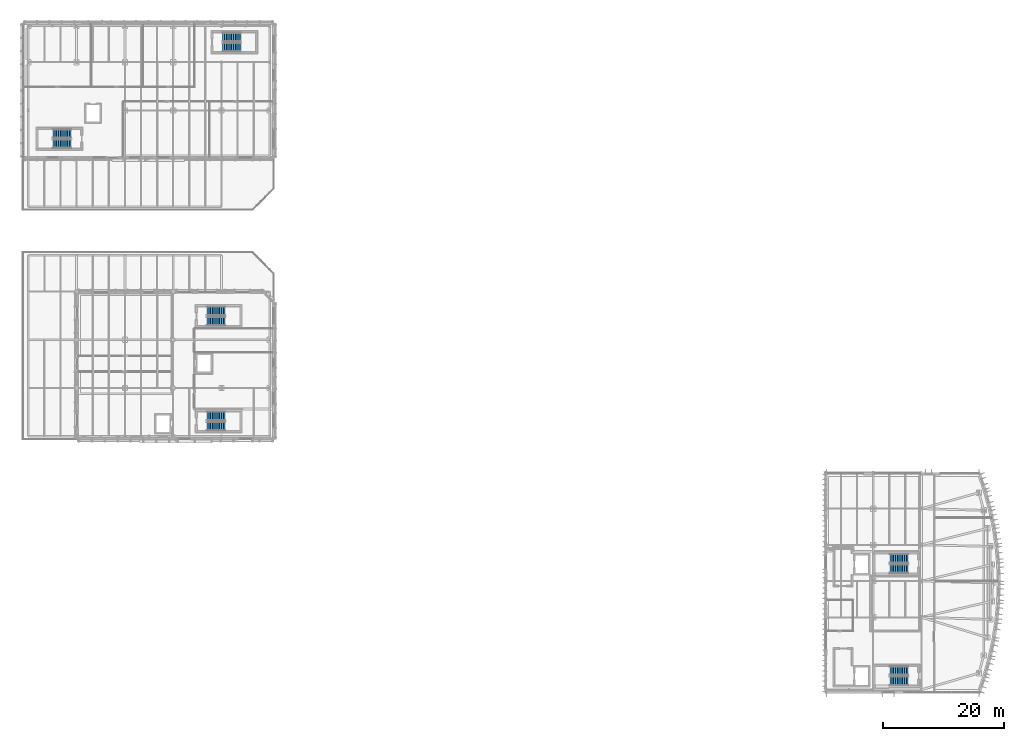
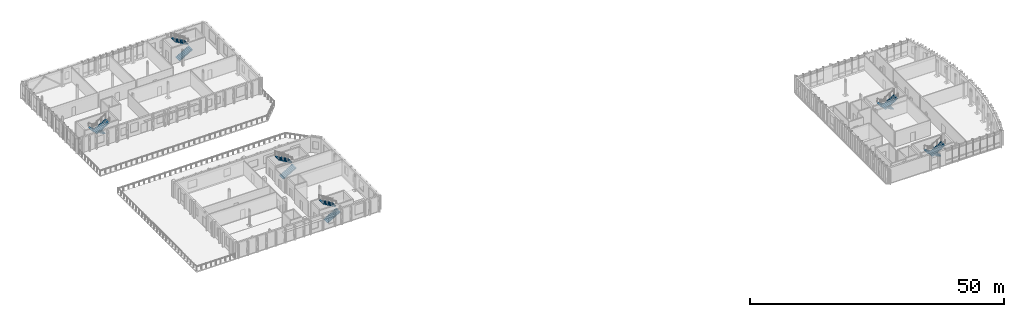
# One storey, part 30 of 43: 12 stair flights, 6 elements without a shape of their own.
"""IFC4 building model written with IfcOpenShell, lengths in metres."""

from ifc_helpers import new_model, si_unit, direction, frame, origin, place, context, subcontext, project, spatial, polyline, outline, extrude, material, type_object, element, aggregate, save


model = new_model("IFC4")

# Units and contexts
model_context = context("Model", 3, precision=1e-05, world=origin(), true_north=direction((0.0, 1.0)))
body_context = subcontext(model_context, "Body", "Model", "MODEL_VIEW")
ifc_project = project(units=[si_unit("LENGTHUNIT", "METRE"), si_unit("AREAUNIT", "SQUARE_METRE"), si_unit("VOLUMEUNIT", "CUBIC_METRE"), si_unit("PLANEANGLEUNIT", "RADIAN"), si_unit("MASSUNIT", "GRAM", prefix="KILO")], contexts=[model_context])

# Site, building, storey
site_placement = place(None, origin())
site = spatial("IfcSite", under=ifc_project, at=site_placement, CompositionType="ELEMENT")
building_placement = place(site_placement, origin())
building = spatial("IfcBuilding", under=site, at=building_placement, Name="Cymarion Research Institute", CompositionType="ELEMENT")
storey_placement = place(building_placement, frame((0.0, 0.0, 22.800048828125)))
storey = spatial("IfcBuildingStorey", under=building, at=storey_placement, Name="L05", CompositionType="ELEMENT", Elevation=22.800048828125)

# Stair, stair flights
ifc_material = material(Name="Concrete C35/45", Category="concrete")
stair_type = type_object("IfcStairType", Name="REINFORCED CONCRETE DOGLEG STAIR STR-3900", PredefinedType="HALF_TURN_STAIR", material=ifc_material)
stair_1_placement = place(storey_placement, origin())
stair_1 = element("IfcStair", 1, at=stair_1_placement, inside=storey, type_object=stair_type, Name="L05 Core C1 Smoke-Proof Exit Stair ST1", PredefinedType="HALF_TURN_STAIR")
stair_flight_type = type_object("IfcStairFlightType", Name="REINFORCED CONCRETE STAIR FLIGHT SFL-3900", PredefinedType="STRAIGHT", material=ifc_material)
stair_flight_1_placement = place(storey_placement, frame((152.39990234375, 8.639892578125, 0.0), z_axis=(0.0, 0.0, 1.0), x_axis=(-1.0, 0.0, 0.0)))
stair_flight_1 = element("IfcStairFlight", 2, at=stair_flight_1_placement, type_object=stair_flight_type, Name="ST1 flight 1", NumberOfRisers=11, NumberOfTreads=10, PredefinedType="STRAIGHT", RiserHeight=0.177272727, TreadLength=0.3, context=body_context, shape_type="SweptSolid", body=[
    extrude(outline(polyline([(0.0, 0.0), (0.0, 0.17724609375), (0.300048828125, 0.17724609375), (0.300048828125, 0.3544921875), (0.60009765625, 0.3544921875), (0.60009765625, 0.53173828125), (0.89990234375, 0.53173828125), (0.89990234375, 0.708984375), (1.199951171875, 0.708984375), (1.199951171875, 0.886474609375), (1.5, 0.886474609375), (1.5, 1.063720703125), (1.800048828125, 1.063720703125), (1.800048828125, 1.240966796875), (2.10009765625, 1.240966796875), (2.10009765625, 1.418212890625), (2.39990234375, 1.418212890625), (2.39990234375, 1.595458984375), (2.699951171875, 1.595458984375), (2.699951171875, 1.772705078125), (3.0, 1.772705078125), (3.0, 1.949951171875), (3.0, 1.5986328125), (0.294677734375, 0.0), (0.0, 0.0)])), frame((0.0, 0.760009765625, 0.0), z_axis=(0.0, -1.0, 0.0), x_axis=(1.0, 0.0, 0.0)), (0.0, 0.0, 1.0), 1.52001953125),
])
stair_flight_2_placement = place(storey_placement, frame((149.39990234375, 6.9599609375, 1.949951171875), z_axis=(0.0, 0.0, 1.0), x_axis=(1.0, 0.0, 0.0)))
stair_flight_2 = element("IfcStairFlight", 3, at=stair_flight_2_placement, type_object=stair_flight_type, Name="ST1 flight 2", NumberOfRisers=11, NumberOfTreads=10, PredefinedType="STRAIGHT", RiserHeight=0.177272727, TreadLength=0.3, context=body_context, shape_type="SweptSolid", body=[
    extrude(outline(polyline([(0.0, 0.0), (0.0, 0.17724609375), (0.300048828125, 0.17724609375), (0.300048828125, 0.3544921875), (0.60009765625, 0.3544921875), (0.60009765625, 0.53173828125), (0.89990234375, 0.53173828125), (0.89990234375, 0.708984375), (1.199951171875, 0.708984375), (1.199951171875, 0.886474609375), (1.5, 0.886474609375), (1.5, 1.063720703125), (1.800048828125, 1.063720703125), (1.800048828125, 1.240966796875), (2.10009765625, 1.240966796875), (2.10009765625, 1.418212890625), (2.39990234375, 1.418212890625), (2.39990234375, 1.595458984375), (2.699951171875, 1.595458984375), (2.699951171875, 1.772705078125), (3.0, 1.772705078125), (3.0, 1.949951171875), (3.0, 1.5986328125), (0.294677734375, 0.0), (0.0, 0.0)])), frame((0.0, 0.760009765625, 0.0), z_axis=(0.0, -1.0, 0.0), x_axis=(1.0, 0.0, 0.0)), (0.0, 0.0, 1.0), 1.52001953125),
])
aggregate(stair_1, [stair_flight_1, stair_flight_2])

stair_2_placement = place(storey_placement, origin())
stair_2 = element("IfcStair", 4, at=stair_2_placement, inside=storey, type_object=stair_type, Name="L05 Core C2 Smoke-Proof Exit Stair ST2", PredefinedType="HALF_TURN_STAIR")
stair_flight_3_placement = place(storey_placement, frame((152.39990234375, 27.239990234375, 0.0), z_axis=(0.0, 0.0, 1.0), x_axis=(-1.0, 0.0, 0.0)))
stair_flight_3 = element("IfcStairFlight", 5, at=stair_flight_3_placement, type_object=stair_flight_type, Name="ST2 flight 1", NumberOfRisers=11, NumberOfTreads=10, PredefinedType="STRAIGHT", RiserHeight=0.177272727, TreadLength=0.3, context=body_context, shape_type="SweptSolid", body=[
    extrude(outline(polyline([(0.0, 0.0), (0.0, 0.17724609375), (0.300048828125, 0.17724609375), (0.300048828125, 0.3544921875), (0.60009765625, 0.3544921875), (0.60009765625, 0.53173828125), (0.89990234375, 0.53173828125), (0.89990234375, 0.708984375), (1.199951171875, 0.708984375), (1.199951171875, 0.886474609375), (1.5, 0.886474609375), (1.5, 1.063720703125), (1.800048828125, 1.063720703125), (1.800048828125, 1.240966796875), (2.10009765625, 1.240966796875), (2.10009765625, 1.418212890625), (2.39990234375, 1.418212890625), (2.39990234375, 1.595458984375), (2.699951171875, 1.595458984375), (2.699951171875, 1.772705078125), (3.0, 1.772705078125), (3.0, 1.949951171875), (3.0, 1.5986328125), (0.294677734375, 0.0), (0.0, 0.0)])), frame((0.0, 0.760009765625, 0.0), z_axis=(0.0, -1.0, 0.0), x_axis=(1.0, 0.0, 0.0)), (0.0, 0.0, 1.0), 1.52001953125),
])
stair_flight_4_placement = place(storey_placement, frame((149.39990234375, 25.56005859375, 1.949951171875), z_axis=(0.0, 0.0, 1.0), x_axis=(1.0, 0.0, 0.0)))
stair_flight_4 = element("IfcStairFlight", 6, at=stair_flight_4_placement, type_object=stair_flight_type, Name="ST2 flight 2", NumberOfRisers=11, NumberOfTreads=10, PredefinedType="STRAIGHT", RiserHeight=0.177272727, TreadLength=0.3, context=body_context, shape_type="SweptSolid", body=[
    extrude(outline(polyline([(0.0, 0.0), (0.0, 0.17724609375), (0.300048828125, 0.17724609375), (0.300048828125, 0.3544921875), (0.60009765625, 0.3544921875), (0.60009765625, 0.53173828125), (0.89990234375, 0.53173828125), (0.89990234375, 0.708984375), (1.199951171875, 0.708984375), (1.199951171875, 0.886474609375), (1.5, 0.886474609375), (1.5, 1.063720703125), (1.800048828125, 1.063720703125), (1.800048828125, 1.240966796875), (2.10009765625, 1.240966796875), (2.10009765625, 1.418212890625), (2.39990234375, 1.418212890625), (2.39990234375, 1.595458984375), (2.699951171875, 1.595458984375), (2.699951171875, 1.772705078125), (3.0, 1.772705078125), (3.0, 1.949951171875), (3.0, 1.5986328125), (0.294677734375, 0.0), (0.0, 0.0)])), frame((0.0, 0.760009765625, 0.0), z_axis=(0.0, -1.0, 0.0), x_axis=(1.0, 0.0, 0.0)), (0.0, 0.0, 1.0), 1.52001953125),
])
aggregate(stair_2, [stair_flight_3, stair_flight_4])

stair_3_placement = place(storey_placement, origin())
stair_3 = element("IfcStair", 7, at=stair_3_placement, inside=storey, type_object=stair_type, Name="L05 Core C7 Smoke-Proof Exit Stair ST7", PredefinedType="HALF_TURN_STAIR")
stair_flight_5_placement = place(storey_placement, frame((36.199951171875, 49.159912109375, 0.0), z_axis=(0.0, 0.0, 1.0), x_axis=(1.0, 0.0, 0.0)))
stair_flight_5 = element("IfcStairFlight", 8, at=stair_flight_5_placement, type_object=stair_flight_type, Name="ST7 flight 1", NumberOfRisers=11, NumberOfTreads=10, PredefinedType="STRAIGHT", RiserHeight=0.177272727, TreadLength=0.3, context=body_context, shape_type="SweptSolid", body=[
    extrude(outline(polyline([(0.0, 0.0), (0.0, 0.17724609375), (0.300048828125, 0.17724609375), (0.300048828125, 0.3544921875), (0.60009765625, 0.3544921875), (0.60009765625, 0.53173828125), (0.89990234375, 0.53173828125), (0.89990234375, 0.708984375), (1.199951171875, 0.708984375), (1.199951171875, 0.886474609375), (1.5, 0.886474609375), (1.5, 1.063720703125), (1.800048828125, 1.063720703125), (1.800048828125, 1.240966796875), (2.10009765625, 1.240966796875), (2.10009765625, 1.418212890625), (2.39990234375, 1.418212890625), (2.39990234375, 1.595458984375), (2.699951171875, 1.595458984375), (2.699951171875, 1.772705078125), (3.0, 1.772705078125), (3.0, 1.949951171875), (3.0, 1.5986328125), (0.294677734375, 0.0), (0.0, 0.0)])), frame((0.0, 0.760009765625, 0.0), z_axis=(0.0, -1.0, 0.0), x_axis=(1.0, 0.0, 0.0)), (0.0, 0.0, 1.0), 1.52001953125),
])
stair_flight_6_placement = place(storey_placement, frame((39.199951171875, 50.840087890625, 1.949951171875), z_axis=(0.0, 0.0, 1.0), x_axis=(-1.0, 0.0, 0.0)))
stair_flight_6 = element("IfcStairFlight", 9, at=stair_flight_6_placement, type_object=stair_flight_type, Name="ST7 flight 2", NumberOfRisers=11, NumberOfTreads=10, PredefinedType="STRAIGHT", RiserHeight=0.177272727, TreadLength=0.3, context=body_context, shape_type="SweptSolid", body=[
    extrude(outline(polyline([(0.0, 0.0), (0.0, 0.17724609375), (0.300048828125, 0.17724609375), (0.300048828125, 0.3544921875), (0.60009765625, 0.3544921875), (0.60009765625, 0.53173828125), (0.89990234375, 0.53173828125), (0.89990234375, 0.708984375), (1.199951171875, 0.708984375), (1.199951171875, 0.886474609375), (1.5, 0.886474609375), (1.5, 1.063720703125), (1.800048828125, 1.063720703125), (1.800048828125, 1.240966796875), (2.10009765625, 1.240966796875), (2.10009765625, 1.418212890625), (2.39990234375, 1.418212890625), (2.39990234375, 1.595458984375), (2.699951171875, 1.595458984375), (2.699951171875, 1.772705078125), (3.0, 1.772705078125), (3.0, 1.949951171875), (3.0, 1.5986328125), (0.294677734375, 0.0), (0.0, 0.0)])), frame((0.0, 0.760009765625, 0.0), z_axis=(0.0, -1.0, 0.0), x_axis=(1.0, 0.0, 0.0)), (0.0, 0.0, 1.0), 1.52001953125),
])
aggregate(stair_3, [stair_flight_5, stair_flight_6])

stair_4_placement = place(storey_placement, origin())
stair_4 = element("IfcStair", 10, at=stair_4_placement, inside=storey, type_object=stair_type, Name="L05 Core C8 Smoke-Proof Exit Stair ST8", PredefinedType="HALF_TURN_STAIR")
stair_flight_7_placement = place(storey_placement, frame((36.199951171875, 66.56005859375, 0.0), z_axis=(0.0, 0.0, 1.0), x_axis=(1.0, 0.0, 0.0)))
stair_flight_7 = element("IfcStairFlight", 11, at=stair_flight_7_placement, type_object=stair_flight_type, Name="ST8 flight 1", NumberOfRisers=11, NumberOfTreads=10, PredefinedType="STRAIGHT", RiserHeight=0.177272727, TreadLength=0.3, context=body_context, shape_type="SweptSolid", body=[
    extrude(outline(polyline([(0.0, 0.0), (0.0, 0.17724609375), (0.300048828125, 0.17724609375), (0.300048828125, 0.3544921875), (0.60009765625, 0.3544921875), (0.60009765625, 0.53173828125), (0.89990234375, 0.53173828125), (0.89990234375, 0.708984375), (1.199951171875, 0.708984375), (1.199951171875, 0.886474609375), (1.5, 0.886474609375), (1.5, 1.063720703125), (1.800048828125, 1.063720703125), (1.800048828125, 1.240966796875), (2.10009765625, 1.240966796875), (2.10009765625, 1.418212890625), (2.39990234375, 1.418212890625), (2.39990234375, 1.595458984375), (2.699951171875, 1.595458984375), (2.699951171875, 1.772705078125), (3.0, 1.772705078125), (3.0, 1.949951171875), (3.0, 1.5986328125), (0.294677734375, 0.0), (0.0, 0.0)])), frame((0.0, 0.760009765625, 0.0), z_axis=(0.0, -1.0, 0.0), x_axis=(1.0, 0.0, 0.0)), (0.0, 0.0, 1.0), 1.52001953125),
])
stair_flight_8_placement = place(storey_placement, frame((39.199951171875, 68.239990234375, 1.949951171875), z_axis=(0.0, 0.0, 1.0), x_axis=(-1.0, 0.0, 0.0)))
stair_flight_8 = element("IfcStairFlight", 12, at=stair_flight_8_placement, type_object=stair_flight_type, Name="ST8 flight 2", NumberOfRisers=11, NumberOfTreads=10, PredefinedType="STRAIGHT", RiserHeight=0.177272727, TreadLength=0.3, context=body_context, shape_type="SweptSolid", body=[
    extrude(outline(polyline([(0.0, 0.0), (0.0, 0.17724609375), (0.300048828125, 0.17724609375), (0.300048828125, 0.3544921875), (0.60009765625, 0.3544921875), (0.60009765625, 0.53173828125), (0.89990234375, 0.53173828125), (0.89990234375, 0.708984375), (1.199951171875, 0.708984375), (1.199951171875, 0.886474609375), (1.5, 0.886474609375), (1.5, 1.063720703125), (1.800048828125, 1.063720703125), (1.800048828125, 1.240966796875), (2.10009765625, 1.240966796875), (2.10009765625, 1.418212890625), (2.39990234375, 1.418212890625), (2.39990234375, 1.595458984375), (2.699951171875, 1.595458984375), (2.699951171875, 1.772705078125), (3.0, 1.772705078125), (3.0, 1.949951171875), (3.0, 1.5986328125), (0.294677734375, 0.0), (0.0, 0.0)])), frame((0.0, 0.760009765625, 0.0), z_axis=(0.0, -1.0, 0.0), x_axis=(1.0, 0.0, 0.0)), (0.0, 0.0, 1.0), 1.52001953125),
])
aggregate(stair_4, [stair_flight_7, stair_flight_8])

stair_5_placement = place(storey_placement, origin())
stair_5 = element("IfcStair", 13, at=stair_5_placement, inside=storey, type_object=stair_type, Name="L05 Core C9 Smoke-Proof Exit Stair ST9", PredefinedType="HALF_TURN_STAIR")
stair_flight_9_placement = place(storey_placement, frame((13.699951171875, 97.639892578125, 0.0), z_axis=(0.0, 0.0, 1.0), x_axis=(-1.0, 0.0, 0.0)))
stair_flight_9 = element("IfcStairFlight", 14, at=stair_flight_9_placement, type_object=stair_flight_type, Name="ST9 flight 1", NumberOfRisers=11, NumberOfTreads=10, PredefinedType="STRAIGHT", RiserHeight=0.177272727, TreadLength=0.3, context=body_context, shape_type="SweptSolid", body=[
    extrude(outline(polyline([(0.0, 0.0), (0.0, 0.17724609375), (0.300048828125, 0.17724609375), (0.300048828125, 0.3544921875), (0.60009765625, 0.3544921875), (0.60009765625, 0.53173828125), (0.89990234375, 0.53173828125), (0.89990234375, 0.708984375), (1.199951171875, 0.708984375), (1.199951171875, 0.886474609375), (1.5, 0.886474609375), (1.5, 1.063720703125), (1.800048828125, 1.063720703125), (1.800048828125, 1.240966796875), (2.10009765625, 1.240966796875), (2.10009765625, 1.418212890625), (2.39990234375, 1.418212890625), (2.39990234375, 1.595458984375), (2.699951171875, 1.595458984375), (2.699951171875, 1.772705078125), (3.0, 1.772705078125), (3.0, 1.949951171875), (3.0, 1.5986328125), (0.294677734375, 0.0), (0.0, 0.0)])), frame((0.0, 0.760009765625, 0.0), z_axis=(0.0, -1.0, 0.0), x_axis=(1.0, 0.0, 0.0)), (0.0, 0.0, 1.0), 1.52001953125),
])
stair_flight_10_placement = place(storey_placement, frame((10.699951171875, 95.9599609375, 1.949951171875), z_axis=(0.0, 0.0, 1.0), x_axis=(1.0, 0.0, 0.0)))
stair_flight_10 = element("IfcStairFlight", 15, at=stair_flight_10_placement, type_object=stair_flight_type, Name="ST9 flight 2", NumberOfRisers=11, NumberOfTreads=10, PredefinedType="STRAIGHT", RiserHeight=0.177272727, TreadLength=0.3, context=body_context, shape_type="SweptSolid", body=[
    extrude(outline(polyline([(0.0, 0.0), (0.0, 0.17724609375), (0.300048828125, 0.17724609375), (0.300048828125, 0.3544921875), (0.60009765625, 0.3544921875), (0.60009765625, 0.53173828125), (0.89990234375, 0.53173828125), (0.89990234375, 0.708984375), (1.199951171875, 0.708984375), (1.199951171875, 0.886474609375), (1.5, 0.886474609375), (1.5, 1.063720703125), (1.800048828125, 1.063720703125), (1.800048828125, 1.240966796875), (2.10009765625, 1.240966796875), (2.10009765625, 1.418212890625), (2.39990234375, 1.418212890625), (2.39990234375, 1.595458984375), (2.699951171875, 1.595458984375), (2.699951171875, 1.772705078125), (3.0, 1.772705078125), (3.0, 1.949951171875), (3.0, 1.5986328125), (0.294677734375, 0.0), (0.0, 0.0)])), frame((0.0, 0.760009765625, 0.0), z_axis=(0.0, -1.0, 0.0), x_axis=(1.0, 0.0, 0.0)), (0.0, 0.0, 1.0), 1.52001953125),
])
aggregate(stair_5, [stair_flight_9, stair_flight_10])

stair_6_placement = place(storey_placement, origin())
stair_6 = element("IfcStair", 16, at=stair_6_placement, inside=storey, type_object=stair_type, Name="L05 Core C10 Smoke-Proof Exit Stair ST10", PredefinedType="HALF_TURN_STAIR")
stair_flight_11_placement = place(storey_placement, frame((38.800048828125, 111.9599609375, 0.0), z_axis=(0.0, 0.0, 1.0), x_axis=(1.0, 0.0, 0.0)))
stair_flight_11 = element("IfcStairFlight", 17, at=stair_flight_11_placement, type_object=stair_flight_type, Name="ST10 flight 1", NumberOfRisers=11, NumberOfTreads=10, PredefinedType="STRAIGHT", RiserHeight=0.177272727, TreadLength=0.3, context=body_context, shape_type="SweptSolid", body=[
    extrude(outline(polyline([(0.0, 0.0), (0.0, 0.17724609375), (0.300048828125, 0.17724609375), (0.300048828125, 0.3544921875), (0.60009765625, 0.3544921875), (0.60009765625, 0.53173828125), (0.89990234375, 0.53173828125), (0.89990234375, 0.708984375), (1.199951171875, 0.708984375), (1.199951171875, 0.886474609375), (1.5, 0.886474609375), (1.5, 1.063720703125), (1.800048828125, 1.063720703125), (1.800048828125, 1.240966796875), (2.10009765625, 1.240966796875), (2.10009765625, 1.418212890625), (2.39990234375, 1.418212890625), (2.39990234375, 1.595458984375), (2.699951171875, 1.595458984375), (2.699951171875, 1.772705078125), (3.0, 1.772705078125), (3.0, 1.949951171875), (3.0, 1.5986328125), (0.294677734375, 0.0), (0.0, 0.0)])), frame((0.0, 0.760009765625, 0.0), z_axis=(0.0, -1.0, 0.0), x_axis=(1.0, 0.0, 0.0)), (0.0, 0.0, 1.0), 1.52001953125),
])
stair_flight_12_placement = place(storey_placement, frame((41.800048828125, 113.639892578125, 1.949951171875), z_axis=(0.0, 0.0, 1.0), x_axis=(-1.0, 0.0, 0.0)))
stair_flight_12 = element("IfcStairFlight", 18, at=stair_flight_12_placement, type_object=stair_flight_type, Name="ST10 flight 2", NumberOfRisers=11, NumberOfTreads=10, PredefinedType="STRAIGHT", RiserHeight=0.177272727, TreadLength=0.3, context=body_context, shape_type="SweptSolid", body=[
    extrude(outline(polyline([(0.0, 0.0), (0.0, 0.17724609375), (0.300048828125, 0.17724609375), (0.300048828125, 0.3544921875), (0.60009765625, 0.3544921875), (0.60009765625, 0.53173828125), (0.89990234375, 0.53173828125), (0.89990234375, 0.708984375), (1.199951171875, 0.708984375), (1.199951171875, 0.886474609375), (1.5, 0.886474609375), (1.5, 1.063720703125), (1.800048828125, 1.063720703125), (1.800048828125, 1.240966796875), (2.10009765625, 1.240966796875), (2.10009765625, 1.418212890625), (2.39990234375, 1.418212890625), (2.39990234375, 1.595458984375), (2.699951171875, 1.595458984375), (2.699951171875, 1.772705078125), (3.0, 1.772705078125), (3.0, 1.949951171875), (3.0, 1.5986328125), (0.294677734375, 0.0), (0.0, 0.0)])), frame((0.0, 0.760009765625, 0.0), z_axis=(0.0, -1.0, 0.0), x_axis=(1.0, 0.0, 0.0)), (0.0, 0.0, 1.0), 1.52001953125),
])
aggregate(stair_6, [stair_flight_11, stair_flight_12])

save(model, "model.ifc")
